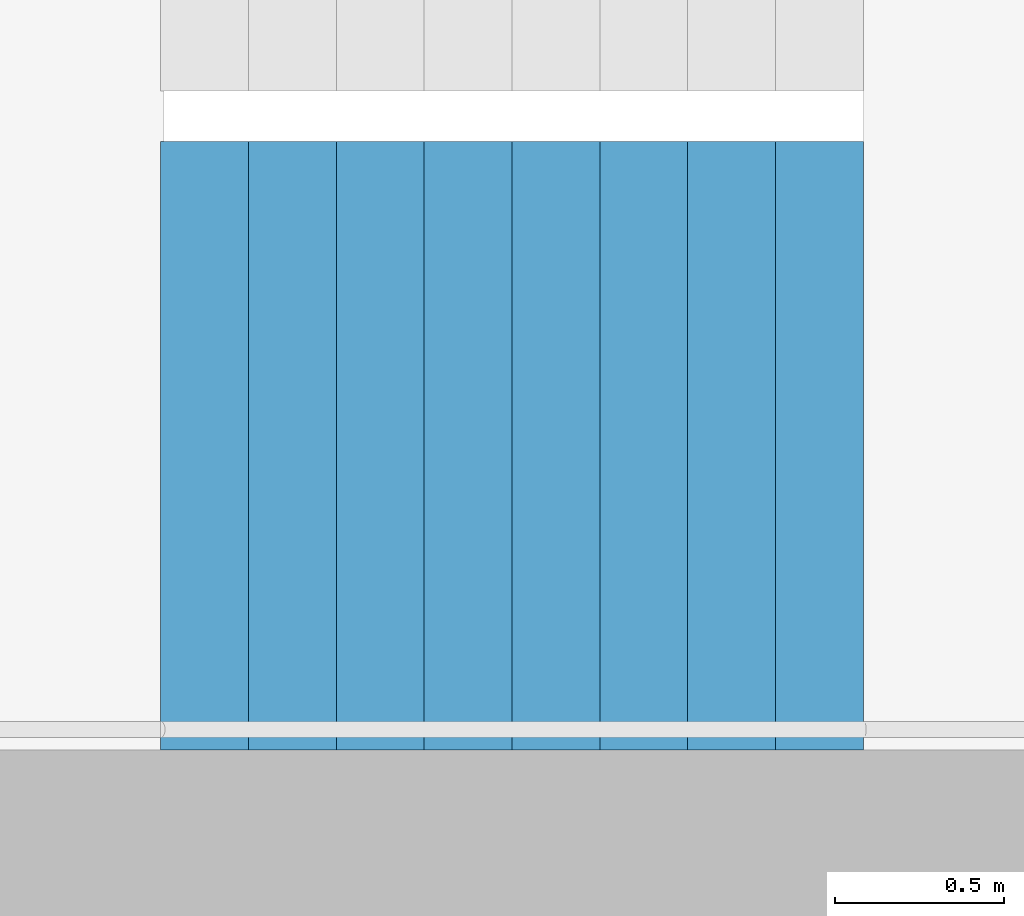
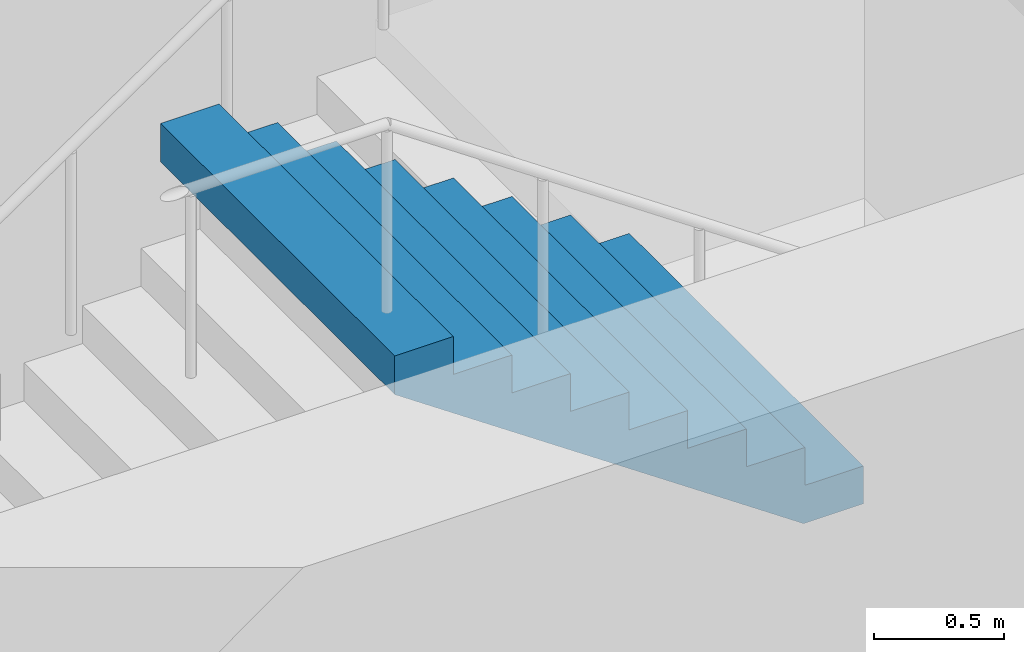
# One storey, part 25 of 29: 1 stair flight, 1 element without a shape of its own.
"""IFC4 building model written with IfcOpenShell, lengths in metres."""

from ifc_helpers import new_model, si_unit, direction, frame, origin, place, context, subcontext, project, spatial, triangles, material, type_object, element, aggregate, save


model = new_model("IFC4")

# Units and contexts
model_context = context("Model", 3, precision=1e-05, world=origin(), true_north=direction((0.0, 1.0)))
body_context = subcontext(model_context, "Body", "Model", "MODEL_VIEW")
ifc_project = project(units=[si_unit("LENGTHUNIT", "METRE"), si_unit("AREAUNIT", "SQUARE_METRE"), si_unit("VOLUMEUNIT", "CUBIC_METRE"), si_unit("PLANEANGLEUNIT", "RADIAN"), si_unit("MASSUNIT", "GRAM", prefix="KILO")], contexts=[model_context])

# Site, building, storey
site_placement = place(None, origin())
site = spatial("IfcSite", under=ifc_project, at=site_placement, CompositionType="ELEMENT")
building_placement = place(site_placement, origin())
building = spatial("IfcBuilding", under=site, at=building_placement, Name="Hakoniwa Tower and Hamabe Station Hall", CompositionType="ELEMENT")
storey_placement = place(building_placement, frame((0.0, 0.0, 117.0)))
storey = spatial("IfcBuildingStorey", under=building, at=storey_placement, Name="L33", CompositionType="ELEMENT", Elevation=117.0)

# Stair, stair flight
ifc_material_1 = material(Name="Concrete C40", Category="concrete")
stair_type = type_object("IfcStairType", Name="ESCAPE STAIR 1800", PredefinedType="HALF_TURN_STAIR", material=ifc_material_1)
stair_placement = place(storey_placement, origin())
stair = element("IfcStair", 1, at=stair_placement, inside=storey, type_object=stair_type, Name="Escape stair ST-4 L33", PredefinedType="HALF_TURN_STAIR")
ifc_material_2 = material(Name="Concrete C40", Category="concrete")
stair_flight_type = type_object("IfcStairFlightType", Name="STAIR FLIGHT 1800", PredefinedType="STRAIGHT", material=ifc_material_2)
stair_flight_placement = place(storey_placement, frame((25.47998046875, -6.60009765625, 1.60009765625), z_axis=(0.0, 0.0, 1.0), x_axis=(-1.0, 0.0, 0.0)))
stair_flight = element("IfcStairFlight", 2, at=stair_flight_placement, type_object=stair_flight_type, Name="ST-4 flight 2", NumberOfRisers=9, NumberOfTreads=8, PredefinedType="STRAIGHT", RiserHeight=0.177777778, TreadLength=0.26, context=body_context, shape_type="Tessellation", body=[
    triangles([(0.0, 0.89990234375, 0.0), (0.260009765625, 0.89990234375, 0.0), (0.265625, 0.89990234375, 0.0), (0.52001953125, 0.89990234375, 0.174072265625), (0.780029296875, 0.89990234375, 0.351806640625), (1.0400390625, 0.89990234375, 0.529541015625), (1.300048828125, 0.89990234375, 0.707275390625), (1.56005859375, 0.89990234375, 0.885009765625), (1.820068359375, 0.89990234375, 1.062744140625), (2.080078125, 0.89990234375, 1.24072265625), (2.080078125, 0.89990234375, 1.422119140625), (1.820068359375, 0.89990234375, 1.422119140625), (1.820068359375, 0.89990234375, 1.244384765625), (1.56005859375, 0.89990234375, 1.244384765625), (1.56005859375, 0.89990234375, 1.066650390625), (1.300048828125, 0.89990234375, 1.066650390625), (1.300048828125, 0.89990234375, 0.888916015625), (1.0400390625, 0.89990234375, 0.888916015625), (1.0400390625, 0.89990234375, 0.711181640625), (0.780029296875, 0.89990234375, 0.711181640625), (0.780029296875, 0.89990234375, 0.533447265625), (0.52001953125, 0.89990234375, 0.533447265625), (0.52001953125, 0.89990234375, 0.35546875), (0.265625, 0.89990234375, 0.35546875), (0.260009765625, 0.89990234375, 0.35546875), (0.260009765625, 0.89990234375, 0.177734375), (0.0, 0.89990234375, 0.177734375), (0.0, 0.06005859375, 0.0), (0.260009765625, 0.06005859375, 0.0), (0.265625, 0.06005859375, 0.0), (0.52001953125, 0.06005859375, 0.174072265625), (0.780029296875, 0.06005859375, 0.351806640625), (1.0400390625, 0.06005859375, 0.529541015625), (1.300048828125, 0.06005859375, 0.707275390625), (1.56005859375, 0.06005859375, 0.885009765625), (1.820068359375, 0.06005859375, 1.062744140625), (2.080078125, 0.06005859375, 1.24072265625), (2.080078125, 0.06005859375, 1.422119140625), (1.820068359375, 0.06005859375, 1.422119140625), (1.820068359375, 0.06005859375, 1.244384765625), (1.56005859375, 0.06005859375, 1.244384765625), (1.56005859375, 0.06005859375, 1.066650390625), (1.300048828125, 0.06005859375, 1.066650390625), (1.300048828125, 0.06005859375, 0.888916015625), (1.0400390625, 0.06005859375, 0.888916015625), (1.0400390625, 0.06005859375, 0.711181640625), (0.780029296875, 0.06005859375, 0.711181640625), (0.780029296875, 0.06005859375, 0.533447265625), (0.52001953125, 0.06005859375, 0.533447265625), (0.52001953125, 0.06005859375, 0.35546875), (0.265625, 0.06005859375, 0.35546875), (0.260009765625, 0.06005859375, 0.35546875), (0.260009765625, 0.06005859375, 0.177734375), (0.0, 0.06005859375, 0.177734375), (0.0, 0.04296875, 0.0), (0.260009765625, 0.04296875, 0.0), (0.265625, 0.04296875, 0.0), (0.52001953125, 0.04296875, 0.174072265625), (0.780029296875, 0.04296875, 0.351806640625), (1.0400390625, 0.04296875, 0.529541015625), (1.300048828125, 0.04296875, 0.707275390625), (1.56005859375, 0.04296875, 0.885009765625), (1.820068359375, 0.04296875, 1.062744140625), (2.080078125, 0.04296875, 1.24072265625), (2.080078125, 0.04296875, 1.422119140625), (1.820068359375, 0.04296875, 1.422119140625), (1.820068359375, 0.04296875, 1.244384765625), (1.56005859375, 0.04296875, 1.244384765625), (1.56005859375, 0.04296875, 1.066650390625), (1.300048828125, 0.04296875, 1.066650390625), (1.300048828125, 0.04296875, 0.888916015625), (1.0400390625, 0.04296875, 0.888916015625), (1.0400390625, 0.04296875, 0.711181640625), (0.780029296875, 0.04296875, 0.711181640625), (0.780029296875, 0.04296875, 0.533447265625), (0.52001953125, 0.04296875, 0.533447265625), (0.52001953125, 0.04296875, 0.35546875), (0.265625, 0.04296875, 0.35546875), (0.260009765625, 0.04296875, 0.35546875), (0.260009765625, 0.04296875, 0.177734375), (0.0, 0.04296875, 0.177734375), (0.0, 0.025634765625, 0.0), (0.260009765625, 0.025634765625, 0.0), (0.265625, 0.025634765625, 0.0), (0.52001953125, 0.025634765625, 0.174072265625), (0.780029296875, 0.025634765625, 0.351806640625), (1.0400390625, 0.025634765625, 0.529541015625), (1.300048828125, 0.025634765625, 0.707275390625), (1.56005859375, 0.025634765625, 0.885009765625), (1.820068359375, 0.025634765625, 1.062744140625), (2.080078125, 0.025634765625, 1.24072265625), (2.080078125, 0.025634765625, 1.422119140625), (1.820068359375, 0.025634765625, 1.422119140625), (1.820068359375, 0.025634765625, 1.244384765625), (1.56005859375, 0.025634765625, 1.244384765625), (1.56005859375, 0.025634765625, 1.066650390625), (1.300048828125, 0.025634765625, 1.066650390625), (1.300048828125, 0.025634765625, 0.888916015625), (1.0400390625, 0.025634765625, 0.888916015625), (1.0400390625, 0.025634765625, 0.711181640625), (0.780029296875, 0.025634765625, 0.711181640625), (0.780029296875, 0.025634765625, 0.533447265625), (0.52001953125, 0.025634765625, 0.533447265625), (0.52001953125, 0.025634765625, 0.35546875), (0.265625, 0.025634765625, 0.35546875), (0.260009765625, 0.025634765625, 0.35546875), (0.260009765625, 0.025634765625, 0.177734375), (0.0, 0.025634765625, 0.177734375), (0.0, 0.008544921875, 0.0), (0.260009765625, 0.008544921875, 0.0), (0.265625, 0.008544921875, 0.0), (0.52001953125, 0.008544921875, 0.174072265625), (0.780029296875, 0.008544921875, 0.351806640625), (1.0400390625, 0.008544921875, 0.529541015625), (1.300048828125, 0.008544921875, 0.707275390625), (1.56005859375, 0.008544921875, 0.885009765625), (1.820068359375, 0.008544921875, 1.062744140625), (2.080078125, 0.008544921875, 1.24072265625), (2.080078125, 0.008544921875, 1.422119140625), (1.820068359375, 0.008544921875, 1.422119140625), (1.820068359375, 0.008544921875, 1.244384765625), (1.56005859375, 0.008544921875, 1.244384765625), (1.56005859375, 0.008544921875, 1.066650390625), (1.300048828125, 0.008544921875, 1.066650390625), (1.300048828125, 0.008544921875, 0.888916015625), (1.0400390625, 0.008544921875, 0.888916015625), (1.0400390625, 0.008544921875, 0.711181640625), (0.780029296875, 0.008544921875, 0.711181640625), (0.780029296875, 0.008544921875, 0.533447265625), (0.52001953125, 0.008544921875, 0.533447265625), (0.52001953125, 0.008544921875, 0.35546875), (0.265625, 0.008544921875, 0.35546875), (0.260009765625, 0.008544921875, 0.35546875), (0.260009765625, 0.008544921875, 0.177734375), (0.0, 0.008544921875, 0.177734375), (0.0, -0.008544921875, 0.0), (0.260009765625, -0.008544921875, 0.0), (0.265625, -0.008544921875, 0.0), (0.52001953125, -0.008544921875, 0.174072265625), (0.780029296875, -0.008544921875, 0.351806640625), (1.0400390625, -0.008544921875, 0.529541015625), (1.300048828125, -0.008544921875, 0.707275390625), (1.56005859375, -0.008544921875, 0.885009765625), (1.820068359375, -0.008544921875, 1.062744140625), (2.080078125, -0.008544921875, 1.24072265625), (2.080078125, -0.008544921875, 1.422119140625), (1.820068359375, -0.008544921875, 1.422119140625), (1.820068359375, -0.008544921875, 1.244384765625), (1.56005859375, -0.008544921875, 1.244384765625), (1.56005859375, -0.008544921875, 1.066650390625), (1.300048828125, -0.008544921875, 1.066650390625), (1.300048828125, -0.008544921875, 0.888916015625), (1.0400390625, -0.008544921875, 0.888916015625), (1.0400390625, -0.008544921875, 0.711181640625), (0.780029296875, -0.008544921875, 0.711181640625), (0.780029296875, -0.008544921875, 0.533447265625), (0.52001953125, -0.008544921875, 0.533447265625), (0.52001953125, -0.008544921875, 0.35546875), (0.265625, -0.008544921875, 0.35546875), (0.260009765625, -0.008544921875, 0.35546875), (0.260009765625, -0.008544921875, 0.177734375), (0.0, -0.008544921875, 0.177734375), (0.0, -0.025634765625, 0.0), (0.260009765625, -0.025634765625, 0.0), (0.265625, -0.025634765625, 0.0), (0.52001953125, -0.025634765625, 0.174072265625), (0.780029296875, -0.025634765625, 0.351806640625), (1.0400390625, -0.025634765625, 0.529541015625), (1.300048828125, -0.025634765625, 0.707275390625), (1.56005859375, -0.025634765625, 0.885009765625), (1.820068359375, -0.025634765625, 1.062744140625), (2.080078125, -0.025634765625, 1.24072265625), (2.080078125, -0.025634765625, 1.422119140625), (1.820068359375, -0.025634765625, 1.422119140625), (1.820068359375, -0.025634765625, 1.244384765625), (1.56005859375, -0.025634765625, 1.244384765625), (1.56005859375, -0.025634765625, 1.066650390625), (1.300048828125, -0.025634765625, 1.066650390625), (1.300048828125, -0.025634765625, 0.888916015625), (1.0400390625, -0.025634765625, 0.888916015625), (1.0400390625, -0.025634765625, 0.711181640625), (0.780029296875, -0.025634765625, 0.711181640625), (0.780029296875, -0.025634765625, 0.533447265625), (0.52001953125, -0.025634765625, 0.533447265625), (0.52001953125, -0.025634765625, 0.35546875), (0.265625, -0.025634765625, 0.35546875), (0.260009765625, -0.025634765625, 0.35546875), (0.260009765625, -0.025634765625, 0.177734375), (0.0, -0.025634765625, 0.177734375), (0.0, -0.04296875, 0.0), (0.260009765625, -0.04296875, 0.0), (0.265625, -0.04296875, 0.0), (0.52001953125, -0.04296875, 0.174072265625), (0.780029296875, -0.04296875, 0.351806640625), (1.0400390625, -0.04296875, 0.529541015625), (1.300048828125, -0.04296875, 0.707275390625), (1.56005859375, -0.04296875, 0.885009765625), (1.820068359375, -0.04296875, 1.062744140625), (2.080078125, -0.04296875, 1.24072265625), (2.080078125, -0.04296875, 1.422119140625), (1.820068359375, -0.04296875, 1.422119140625), (1.820068359375, -0.04296875, 1.244384765625), (1.56005859375, -0.04296875, 1.244384765625), (1.56005859375, -0.04296875, 1.066650390625), (1.300048828125, -0.04296875, 1.066650390625), (1.300048828125, -0.04296875, 0.888916015625), (1.0400390625, -0.04296875, 0.888916015625), (1.0400390625, -0.04296875, 0.711181640625), (0.780029296875, -0.04296875, 0.711181640625), (0.780029296875, -0.04296875, 0.533447265625), (0.52001953125, -0.04296875, 0.533447265625), (0.52001953125, -0.04296875, 0.35546875), (0.265625, -0.04296875, 0.35546875), (0.260009765625, -0.04296875, 0.35546875), (0.260009765625, -0.04296875, 0.177734375), (0.0, -0.04296875, 0.177734375), (0.0, -0.06005859375, 0.0), (0.260009765625, -0.06005859375, 0.0), (0.265625, -0.06005859375, 0.0), (0.52001953125, -0.06005859375, 0.174072265625), (0.780029296875, -0.06005859375, 0.351806640625), (1.0400390625, -0.06005859375, 0.529541015625), (1.300048828125, -0.06005859375, 0.707275390625), (1.56005859375, -0.06005859375, 0.885009765625), (1.820068359375, -0.06005859375, 1.062744140625), (2.080078125, -0.06005859375, 1.24072265625), (2.080078125, -0.06005859375, 1.422119140625), (1.820068359375, -0.06005859375, 1.422119140625), (1.820068359375, -0.06005859375, 1.244384765625), (1.56005859375, -0.06005859375, 1.244384765625), (1.56005859375, -0.06005859375, 1.066650390625), (1.300048828125, -0.06005859375, 1.066650390625), (1.300048828125, -0.06005859375, 0.888916015625), (1.0400390625, -0.06005859375, 0.888916015625), (1.0400390625, -0.06005859375, 0.711181640625), (0.780029296875, -0.06005859375, 0.711181640625), (0.780029296875, -0.06005859375, 0.533447265625), (0.52001953125, -0.06005859375, 0.533447265625), (0.52001953125, -0.06005859375, 0.35546875), (0.265625, -0.06005859375, 0.35546875), (0.260009765625, -0.06005859375, 0.35546875), (0.260009765625, -0.06005859375, 0.177734375), (0.0, -0.06005859375, 0.177734375), (0.0, -0.89990234375, 0.0), (0.260009765625, -0.89990234375, 0.0), (0.265625, -0.89990234375, 0.0), (0.52001953125, -0.89990234375, 0.174072265625), (0.780029296875, -0.89990234375, 0.351806640625), (1.0400390625, -0.89990234375, 0.529541015625), (1.300048828125, -0.89990234375, 0.707275390625), (1.56005859375, -0.89990234375, 0.885009765625), (1.820068359375, -0.89990234375, 1.062744140625), (2.080078125, -0.89990234375, 1.24072265625), (2.080078125, -0.89990234375, 1.422119140625), (1.820068359375, -0.89990234375, 1.422119140625), (1.820068359375, -0.89990234375, 1.244384765625), (1.56005859375, -0.89990234375, 1.244384765625), (1.56005859375, -0.89990234375, 1.066650390625), (1.300048828125, -0.89990234375, 1.066650390625), (1.300048828125, -0.89990234375, 0.888916015625), (1.0400390625, -0.89990234375, 0.888916015625), (1.0400390625, -0.89990234375, 0.711181640625), (0.780029296875, -0.89990234375, 0.711181640625), (0.780029296875, -0.89990234375, 0.533447265625), (0.52001953125, -0.89990234375, 0.533447265625), (0.52001953125, -0.89990234375, 0.35546875), (0.265625, -0.89990234375, 0.35546875), (0.260009765625, -0.89990234375, 0.35546875), (0.260009765625, -0.89990234375, 0.177734375), (0.0, -0.89990234375, 0.177734375)], [[2, 27, 26], [245, 269, 270], [2, 1, 27], [245, 270, 244], [3, 25, 24], [246, 267, 268], [3, 26, 25], [246, 268, 269], [3, 2, 26], [246, 269, 245], [4, 24, 23], [247, 266, 267], [4, 3, 24], [247, 267, 246], [5, 22, 21], [248, 264, 265], [5, 23, 22], [248, 265, 266], [5, 4, 23], [248, 266, 247], [6, 20, 19], [249, 262, 263], [6, 21, 20], [249, 263, 264], [6, 5, 21], [249, 264, 248], [7, 18, 17], [250, 260, 261], [7, 19, 18], [250, 261, 262], [7, 6, 19], [250, 262, 249], [8, 16, 15], [251, 258, 259], [8, 17, 16], [251, 259, 260], [8, 7, 17], [251, 260, 250], [9, 14, 13], [252, 256, 257], [9, 15, 14], [252, 257, 258], [9, 8, 15], [252, 258, 251], [10, 12, 11], [253, 254, 255], [10, 13, 12], [253, 255, 256], [10, 9, 13], [253, 256, 252], [1, 2, 29], [1, 29, 28], [28, 29, 56], [28, 56, 55], [55, 56, 83], [55, 83, 82], [82, 83, 110], [82, 110, 109], [109, 110, 137], [109, 137, 136], [136, 137, 164], [136, 164, 163], [163, 164, 191], [163, 191, 190], [190, 191, 218], [190, 218, 217], [217, 218, 245], [217, 245, 244], [2, 3, 30], [2, 30, 29], [29, 30, 57], [29, 57, 56], [56, 57, 84], [56, 84, 83], [83, 84, 111], [83, 111, 110], [110, 111, 138], [110, 138, 137], [137, 138, 165], [137, 165, 164], [164, 165, 192], [164, 192, 191], [191, 192, 219], [191, 219, 218], [218, 219, 246], [218, 246, 245], [3, 4, 31], [3, 31, 30], [30, 31, 58], [30, 58, 57], [57, 58, 85], [57, 85, 84], [84, 85, 112], [84, 112, 111], [111, 112, 139], [111, 139, 138], [138, 139, 166], [138, 166, 165], [165, 166, 193], [165, 193, 192], [192, 193, 220], [192, 220, 219], [219, 220, 247], [219, 247, 246], [4, 5, 32], [4, 32, 31], [31, 32, 59], [31, 59, 58], [58, 59, 86], [58, 86, 85], [85, 86, 113], [85, 113, 112], [112, 113, 140], [112, 140, 139], [139, 140, 167], [139, 167, 166], [166, 167, 194], [166, 194, 193], [193, 194, 221], [193, 221, 220], [220, 221, 248], [220, 248, 247], [5, 6, 33], [5, 33, 32], [32, 33, 60], [32, 60, 59], [59, 60, 87], [59, 87, 86], [86, 87, 114], [86, 114, 113], [113, 114, 141], [113, 141, 140], [140, 141, 168], [140, 168, 167], [167, 168, 195], [167, 195, 194], [194, 195, 222], [194, 222, 221], [221, 222, 249], [221, 249, 248], [6, 7, 34], [6, 34, 33], [33, 34, 61], [33, 61, 60], [60, 61, 88], [60, 88, 87], [87, 88, 115], [87, 115, 114], [114, 115, 142], [114, 142, 141], [141, 142, 169], [141, 169, 168], [168, 169, 196], [168, 196, 195], [195, 196, 223], [195, 223, 222], [222, 223, 250], [222, 250, 249], [7, 8, 35], [7, 35, 34], [34, 35, 62], [34, 62, 61], [61, 62, 89], [61, 89, 88], [88, 89, 116], [88, 116, 115], [115, 116, 143], [115, 143, 142], [142, 143, 170], [142, 170, 169], [169, 170, 197], [169, 197, 196], [196, 197, 224], [196, 224, 223], [223, 224, 251], [223, 251, 250], [8, 9, 36], [8, 36, 35], [35, 36, 63], [35, 63, 62], [62, 63, 90], [62, 90, 89], [89, 90, 117], [89, 117, 116], [116, 117, 144], [116, 144, 143], [143, 144, 171], [143, 171, 170], [170, 171, 198], [170, 198, 197], [197, 198, 225], [197, 225, 224], [224, 225, 252], [224, 252, 251], [9, 10, 37], [9, 37, 36], [36, 37, 64], [36, 64, 63], [63, 64, 91], [63, 91, 90], [90, 91, 118], [90, 118, 117], [117, 118, 145], [117, 145, 144], [144, 145, 172], [144, 172, 171], [171, 172, 199], [171, 199, 198], [198, 199, 226], [198, 226, 225], [225, 226, 253], [225, 253, 252], [10, 11, 38], [10, 38, 37], [37, 38, 65], [37, 65, 64], [64, 65, 92], [64, 92, 91], [91, 92, 119], [91, 119, 118], [118, 119, 146], [118, 146, 145], [145, 146, 173], [145, 173, 172], [172, 173, 200], [172, 200, 199], [199, 200, 227], [199, 227, 226], [226, 227, 254], [226, 254, 253], [11, 12, 39], [11, 39, 38], [38, 39, 66], [38, 66, 65], [65, 66, 93], [65, 93, 92], [92, 93, 120], [92, 120, 119], [119, 120, 147], [119, 147, 146], [146, 147, 174], [146, 174, 173], [173, 174, 201], [173, 201, 200], [200, 201, 228], [200, 228, 227], [227, 228, 255], [227, 255, 254], [12, 13, 40], [12, 40, 39], [39, 40, 67], [39, 67, 66], [66, 67, 94], [66, 94, 93], [93, 94, 121], [93, 121, 120], [120, 121, 148], [120, 148, 147], [147, 148, 175], [147, 175, 174], [174, 175, 202], [174, 202, 201], [201, 202, 229], [201, 229, 228], [228, 229, 256], [228, 256, 255], [13, 14, 41], [13, 41, 40], [40, 41, 68], [40, 68, 67], [67, 68, 95], [67, 95, 94], [94, 95, 122], [94, 122, 121], [121, 122, 149], [121, 149, 148], [148, 149, 176], [148, 176, 175], [175, 176, 203], [175, 203, 202], [202, 203, 230], [202, 230, 229], [229, 230, 257], [229, 257, 256], [14, 15, 42], [14, 42, 41], [41, 42, 69], [41, 69, 68], [68, 69, 96], [68, 96, 95], [95, 96, 123], [95, 123, 122], [122, 123, 150], [122, 150, 149], [149, 150, 177], [149, 177, 176], [176, 177, 204], [176, 204, 203], [203, 204, 231], [203, 231, 230], [230, 231, 258], [230, 258, 257], [15, 16, 43], [15, 43, 42], [42, 43, 70], [42, 70, 69], [69, 70, 97], [69, 97, 96], [96, 97, 124], [96, 124, 123], [123, 124, 151], [123, 151, 150], [150, 151, 178], [150, 178, 177], [177, 178, 205], [177, 205, 204], [204, 205, 232], [204, 232, 231], [231, 232, 259], [231, 259, 258], [16, 17, 44], [16, 44, 43], [43, 44, 71], [43, 71, 70], [70, 71, 98], [70, 98, 97], [97, 98, 125], [97, 125, 124], [124, 125, 152], [124, 152, 151], [151, 152, 179], [151, 179, 178], [178, 179, 206], [178, 206, 205], [205, 206, 233], [205, 233, 232], [232, 233, 260], [232, 260, 259], [17, 18, 45], [17, 45, 44], [44, 45, 72], [44, 72, 71], [71, 72, 99], [71, 99, 98], [98, 99, 126], [98, 126, 125], [125, 126, 153], [125, 153, 152], [152, 153, 180], [152, 180, 179], [179, 180, 207], [179, 207, 206], [206, 207, 234], [206, 234, 233], [233, 234, 261], [233, 261, 260], [18, 19, 46], [18, 46, 45], [45, 46, 73], [45, 73, 72], [72, 73, 100], [72, 100, 99], [99, 100, 127], [99, 127, 126], [126, 127, 154], [126, 154, 153], [153, 154, 181], [153, 181, 180], [180, 181, 208], [180, 208, 207], [207, 208, 235], [207, 235, 234], [234, 235, 262], [234, 262, 261], [19, 20, 47], [19, 47, 46], [46, 47, 74], [46, 74, 73], [73, 74, 101], [73, 101, 100], [100, 101, 128], [100, 128, 127], [127, 128, 155], [127, 155, 154], [154, 155, 182], [154, 182, 181], [181, 182, 209], [181, 209, 208], [208, 209, 236], [208, 236, 235], [235, 236, 263], [235, 263, 262], [20, 21, 48], [20, 48, 47], [47, 48, 75], [47, 75, 74], [74, 75, 102], [74, 102, 101], [101, 102, 129], [101, 129, 128], [128, 129, 156], [128, 156, 155], [155, 156, 183], [155, 183, 182], [182, 183, 210], [182, 210, 209], [209, 210, 237], [209, 237, 236], [236, 237, 264], [236, 264, 263], [21, 22, 49], [21, 49, 48], [48, 49, 76], [48, 76, 75], [75, 76, 103], [75, 103, 102], [102, 103, 130], [102, 130, 129], [129, 130, 157], [129, 157, 156], [156, 157, 184], [156, 184, 183], [183, 184, 211], [183, 211, 210], [210, 211, 238], [210, 238, 237], [237, 238, 265], [237, 265, 264], [22, 23, 50], [22, 50, 49], [49, 50, 77], [49, 77, 76], [76, 77, 104], [76, 104, 103], [103, 104, 131], [103, 131, 130], [130, 131, 158], [130, 158, 157], [157, 158, 185], [157, 185, 184], [184, 185, 212], [184, 212, 211], [211, 212, 239], [211, 239, 238], [238, 239, 266], [238, 266, 265], [23, 24, 51], [23, 51, 50], [50, 51, 78], [50, 78, 77], [77, 78, 105], [77, 105, 104], [104, 105, 132], [104, 132, 131], [131, 132, 159], [131, 159, 158], [158, 159, 186], [158, 186, 185], [185, 186, 213], [185, 213, 212], [212, 213, 240], [212, 240, 239], [239, 240, 267], [239, 267, 266], [24, 25, 52], [24, 52, 51], [51, 52, 79], [51, 79, 78], [78, 79, 106], [78, 106, 105], [105, 106, 133], [105, 133, 132], [132, 133, 160], [132, 160, 159], [159, 160, 187], [159, 187, 186], [186, 187, 214], [186, 214, 213], [213, 214, 241], [213, 241, 240], [240, 241, 268], [240, 268, 267], [25, 26, 53], [25, 53, 52], [52, 53, 80], [52, 80, 79], [79, 80, 107], [79, 107, 106], [106, 107, 134], [106, 134, 133], [133, 134, 161], [133, 161, 160], [160, 161, 188], [160, 188, 187], [187, 188, 215], [187, 215, 214], [214, 215, 242], [214, 242, 241], [241, 242, 269], [241, 269, 268], [26, 27, 54], [26, 54, 53], [53, 54, 81], [53, 81, 80], [80, 81, 108], [80, 108, 107], [107, 108, 135], [107, 135, 134], [134, 135, 162], [134, 162, 161], [161, 162, 189], [161, 189, 188], [188, 189, 216], [188, 216, 215], [215, 216, 243], [215, 243, 242], [242, 243, 270], [242, 270, 269], [27, 1, 28], [27, 28, 54], [54, 28, 55], [54, 55, 81], [81, 55, 82], [81, 82, 108], [108, 82, 109], [108, 109, 135], [135, 109, 136], [135, 136, 162], [162, 136, 163], [162, 163, 189], [189, 163, 190], [189, 190, 216], [216, 190, 217], [216, 217, 243], [243, 217, 244], [243, 244, 270]], closed=True),
])
aggregate(stair, [stair_flight])

save(model, "model.ifc")
